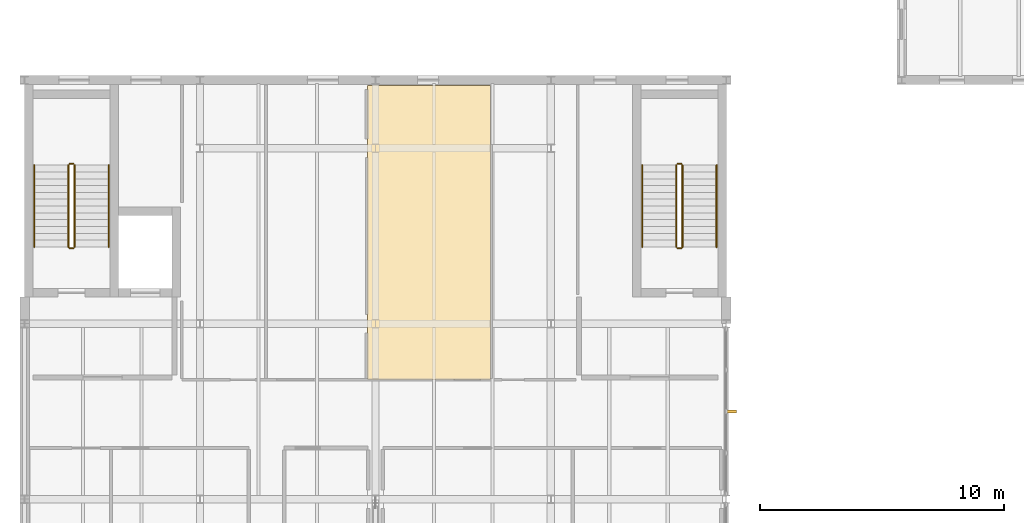
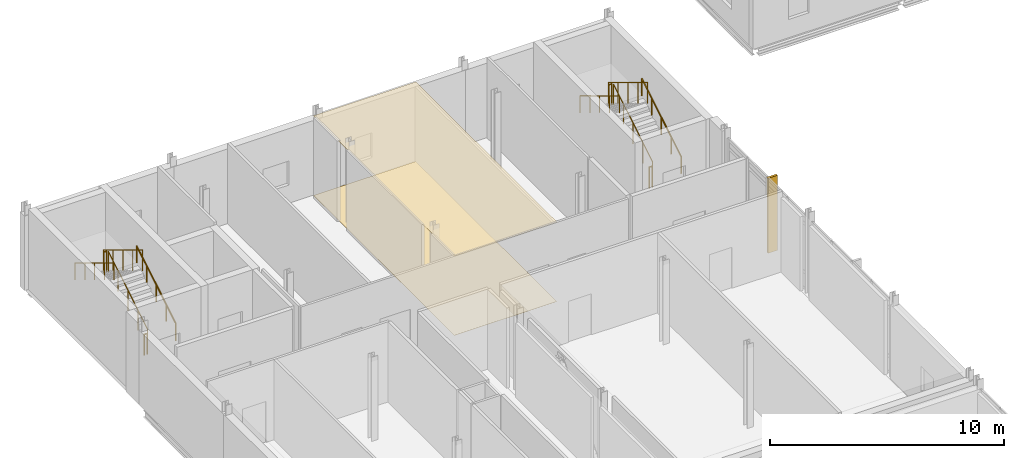
# One storey, part 70 of 72: 12 railings, 2 coverings, 1 shading device.
"""IFC4 building model written with IfcOpenShell, lengths in metres."""

from ifc_helpers import new_model, si_unit, direction, frame, origin, origin_2d, place, context, subcontext, project, spatial, polyline, rectangle, circle, outline, extrude, material, layer, layer_set, type_object, element, save


model = new_model("IFC4")

# Units and contexts
model_context = context("Model", 3, precision=1e-05, world=origin(), true_north=direction((0.0, 1.0)))
body_context = subcontext(model_context, "Body", "Model", "MODEL_VIEW")
ifc_project = project(units=[si_unit("LENGTHUNIT", "METRE"), si_unit("AREAUNIT", "SQUARE_METRE"), si_unit("VOLUMEUNIT", "CUBIC_METRE"), si_unit("PLANEANGLEUNIT", "RADIAN"), si_unit("MASSUNIT", "GRAM", prefix="KILO")], contexts=[model_context])

# Site, building, storey
site_placement = place(None, origin())
site = spatial("IfcSite", under=ifc_project, at=site_placement, CompositionType="ELEMENT")
building_placement = place(site_placement, origin())
building = spatial("IfcBuilding", under=site, at=building_placement, Name="Zarrinpeak Specialist Clinic", CompositionType="ELEMENT")
storey_placement = place(building_placement, frame((0.0, 0.0, 9.60009765625)))
storey = spatial("IfcBuildingStorey", under=building, at=storey_placement, Name="L02", CompositionType="ELEMENT", Elevation=9.60009765625)

# Coverings
ifc_material_1 = material(Name="Hygienic Acoustic Mineral Fibre Tile")
ifc_layer_1 = layer(ifc_material_1, 0.02490234375)
ifc_layer_set_1 = layer_set([ifc_layer_1], Name="Hygienic Acoustic Mineral Fibre Tile")
covering_type_1 = type_object("IfcCoveringType", Name="CV-CEIL-AC", PredefinedType="CEILING", material=ifc_layer_set_1)
covering_1_placement = place(storey_placement, frame((0.0, 0.0, 4.14501953125)))
element("IfcCovering", 1, at=covering_1_placement, inside=storey, type_object=covering_type_1, Name="L02 Specialist Consultation Room 1 Hygienic Acoustic Ceiling", PredefinedType="CEILING", context=body_context, shape_type="SweptSolid", body=[
    extrude(outline(polyline([(14.070068359375, 69.719970703125), (19.1298828125, 69.719970703125), (19.1298828125, 81.780029296875), (14.070068359375, 81.780029296875), (14.070068359375, 69.719970703125)])), origin(), (0.0, 0.0, 1.0), 0.02490234375),
])
ifc_material_2 = material(Name="Homogeneous Antimicrobial Clinical Vinyl")
ifc_layer_2 = layer(ifc_material_2, 0.008056640625)
ifc_layer_set_2 = layer_set([ifc_layer_2], Name="Homogeneous Antimicrobial Clinical Vinyl")
covering_type_2 = type_object("IfcCoveringType", Name="CV-FLR-VN", PredefinedType="FLOORING", material=ifc_layer_set_2)
covering_2_placement = place(storey_placement, frame((0.0, 0.0, 0.0009765625)))
element("IfcCovering", 2, at=covering_2_placement, inside=storey, type_object=covering_type_2, Name="L02 Specialist Consultation Room 1 Antimicrobial Vinyl Flooring", PredefinedType="FLOORING", context=body_context, shape_type="SweptSolid", body=[
    extrude(outline(polyline([(14.070068359375, 69.719970703125), (19.1298828125, 69.719970703125), (19.1298828125, 81.780029296875), (14.070068359375, 81.780029296875), (14.070068359375, 69.719970703125)])), origin(), (0.0, 0.0, 1.0), 0.0078125),
])

# Railings
ifc_material_3 = material(Name="Laminated Safety Glass and Stainless Steel 316", Category="steel")
ifc_layer_3 = layer(ifc_material_3, 0.06005859375)
ifc_layer_set_3 = layer_set([ifc_layer_3], Name="Laminated Safety Glass and Stainless Steel 316")
railing_type_1 = type_object("IfcRailingType", Name="RL-GRD115", PredefinedType="GUARDRAIL", material=ifc_layer_set_3)
railing_1_placement = place(storey_placement, frame((2.050048828125, 75.14990234375, 0.169189453125)))
element("IfcRailing", 3, at=railing_1_placement, inside=storey, type_object=railing_type_1, Name="L02 ST-09 stair guard 1", PredefinedType="GUARDRAIL", context=body_context, shape_type="SweptSolid", body=[
    extrude(circle(Radius=0.02392578125, at=origin_2d()), frame((0.0, 0.0, 1.076171875), z_axis=(0.0, 0.855836976705, 0.517245656632), x_axis=(-1.0, 0.0, 0.0)), (0.0, 0.0, 1.0), 3.926025390625),
    extrude(circle(Radius=0.02099609375, at=origin_2d()), origin(), (0.0, 0.0, 1.0), 1.052001953125),
    extrude(circle(Radius=0.02099609375, at=origin_2d()), frame((0.0, 0.840087890625, 0.5078125)), (0.0, 0.0, 1.0), 1.052001953125),
    extrude(circle(Radius=0.02099609375, at=origin_2d()), frame((0.0, 1.68017578125, 1.015380859375)), (0.0, 0.0, 1.0), 1.052001953125),
    extrude(circle(Radius=0.02099609375, at=origin_2d()), frame((0.0, 2.52001953125, 1.52294921875)), (0.0, 0.0, 1.0), 1.052001953125),
    extrude(circle(Radius=0.02099609375, at=origin_2d()), frame((0.0, 3.360107421875, 2.03076171875)), (0.0, 0.0, 1.0), 1.052001953125),
])
railing_2_placement = place(storey_placement, frame((2.0, 78.56005859375, 2.199951171875)))
element("IfcRailing", 4, at=railing_2_placement, inside=storey, type_object=railing_type_1, Name="L02 ST-09 stair guard 2", PredefinedType="GUARDRAIL", context=body_context, shape_type="SweptSolid", body=[
    extrude(circle(Radius=0.02392578125, at=origin_2d()), frame((0.0, 0.0, 1.076171875), z_axis=(-1.0, 0.0, 0.0), x_axis=(0.0, -1.0, 0.0)), (0.0, 0.0, 1.0), 0.14990234375),
    extrude(circle(Radius=0.02099609375, at=origin_2d()), origin(), (0.0, 0.0, 1.0), 1.052001953125),
    extrude(circle(Radius=0.02099609375, at=origin_2d()), frame((-0.14990234375, 0.0, 0.0)), (0.0, 0.0, 1.0), 1.052001953125),
])
railing_3_placement = place(storey_placement, frame((1.800048828125, 78.510009765625, 2.369140625)))
element("IfcRailing", 5, at=railing_3_placement, inside=storey, type_object=railing_type_1, Name="L02 ST-09 stair guard 3", PredefinedType="GUARDRAIL", context=body_context, shape_type="SweptSolid", body=[
    extrude(circle(Radius=0.02392578125, at=origin_2d()), frame((0.0, 0.0, 1.076171875), z_axis=(0.0, -0.855836976705, 0.517245656632), x_axis=(1.0, 0.0, 0.0)), (0.0, 0.0, 1.0), 3.926025390625),
    extrude(circle(Radius=0.02099609375, at=origin_2d()), origin(), (0.0, 0.0, 1.0), 1.052001953125),
    extrude(circle(Radius=0.02099609375, at=origin_2d()), frame((0.0, -0.840087890625, 0.5078125)), (0.0, 0.0, 1.0), 1.052001953125),
    extrude(circle(Radius=0.02099609375, at=origin_2d()), frame((0.0, -1.68017578125, 1.015380859375)), (0.0, 0.0, 1.0), 1.052001953125),
    extrude(circle(Radius=0.02099609375, at=origin_2d()), frame((0.0, -2.52001953125, 1.52294921875)), (0.0, 0.0, 1.0), 1.052001953125),
    extrude(circle(Radius=0.02099609375, at=origin_2d()), frame((0.0, -3.360107421875, 2.03076171875)), (0.0, 0.0, 1.0), 1.052001953125),
])
railing_4_placement = place(storey_placement, frame((2.0, 75.10009765625, 0.0)))
element("IfcRailing", 6, at=railing_4_placement, inside=storey, type_object=railing_type_1, Name="L02 ST-09 stair guard 4", PredefinedType="GUARDRAIL", context=body_context, shape_type="SweptSolid", body=[
    extrude(circle(Radius=0.02392578125, at=origin_2d()), frame((0.0, 0.0, 1.076171875), z_axis=(-1.0, 0.0, 0.0), x_axis=(0.0, -1.0, 0.0)), (0.0, 0.0, 1.0), 0.14990234375),
    extrude(circle(Radius=0.02099609375, at=origin_2d()), origin(), (0.0, 0.0, 1.0), 1.052001953125),
    extrude(circle(Radius=0.02099609375, at=origin_2d()), frame((-0.14990234375, 0.0, 0.0)), (0.0, 0.0, 1.0), 1.052001953125),
])
railing_5_placement = place(storey_placement, frame((27.0, 75.14990234375, 0.169189453125)))
element("IfcRailing", 7, at=railing_5_placement, inside=storey, type_object=railing_type_1, Name="L02 ST-10 stair guard 1", PredefinedType="GUARDRAIL", context=body_context, shape_type="SweptSolid", body=[
    extrude(circle(Radius=0.02392578125, at=origin_2d()), frame((0.0, 0.0, 1.076171875), z_axis=(0.0, 0.855836976705, 0.517245656632), x_axis=(-1.0, 0.0, 0.0)), (0.0, 0.0, 1.0), 3.926025390625),
    extrude(circle(Radius=0.02099609375, at=origin_2d()), origin(), (0.0, 0.0, 1.0), 1.052001953125),
    extrude(circle(Radius=0.02099609375, at=origin_2d()), frame((0.0, 0.840087890625, 0.5078125)), (0.0, 0.0, 1.0), 1.052001953125),
    extrude(circle(Radius=0.02099609375, at=origin_2d()), frame((0.0, 1.68017578125, 1.015380859375)), (0.0, 0.0, 1.0), 1.052001953125),
    extrude(circle(Radius=0.02099609375, at=origin_2d()), frame((0.0, 2.52001953125, 1.52294921875)), (0.0, 0.0, 1.0), 1.052001953125),
    extrude(circle(Radius=0.02099609375, at=origin_2d()), frame((0.0, 3.360107421875, 2.03076171875)), (0.0, 0.0, 1.0), 1.052001953125),
])
railing_6_placement = place(storey_placement, frame((26.949951171875, 78.56005859375, 2.199951171875)))
element("IfcRailing", 8, at=railing_6_placement, inside=storey, type_object=railing_type_1, Name="L02 ST-10 stair guard 2", PredefinedType="GUARDRAIL", context=body_context, shape_type="SweptSolid", body=[
    extrude(circle(Radius=0.02392578125, at=origin_2d()), frame((0.0, 0.0, 1.076171875), z_axis=(-1.0, 0.0, 0.0), x_axis=(0.0, -1.0, 0.0)), (0.0, 0.0, 1.0), 0.14990234375),
    extrude(circle(Radius=0.02099609375, at=origin_2d()), origin(), (0.0, 0.0, 1.0), 1.052001953125),
    extrude(circle(Radius=0.02099609375, at=origin_2d()), frame((-0.14990234375, 0.0, 0.0)), (0.0, 0.0, 1.0), 1.052001953125),
])
railing_7_placement = place(storey_placement, frame((26.75, 78.510009765625, 2.369140625)))
element("IfcRailing", 9, at=railing_7_placement, inside=storey, type_object=railing_type_1, Name="L02 ST-10 stair guard 3", PredefinedType="GUARDRAIL", context=body_context, shape_type="SweptSolid", body=[
    extrude(circle(Radius=0.02392578125, at=origin_2d()), frame((0.0, 0.0, 1.076171875), z_axis=(0.0, -0.855836976705, 0.517245656632), x_axis=(1.0, 0.0, 0.0)), (0.0, 0.0, 1.0), 3.926025390625),
    extrude(circle(Radius=0.02099609375, at=origin_2d()), origin(), (0.0, 0.0, 1.0), 1.052001953125),
    extrude(circle(Radius=0.02099609375, at=origin_2d()), frame((0.0, -0.840087890625, 0.5078125)), (0.0, 0.0, 1.0), 1.052001953125),
    extrude(circle(Radius=0.02099609375, at=origin_2d()), frame((0.0, -1.68017578125, 1.015380859375)), (0.0, 0.0, 1.0), 1.052001953125),
    extrude(circle(Radius=0.02099609375, at=origin_2d()), frame((0.0, -2.52001953125, 1.52294921875)), (0.0, 0.0, 1.0), 1.052001953125),
    extrude(circle(Radius=0.02099609375, at=origin_2d()), frame((0.0, -3.360107421875, 2.03076171875)), (0.0, 0.0, 1.0), 1.052001953125),
])
railing_8_placement = place(storey_placement, frame((26.949951171875, 75.10009765625, 0.0)))
element("IfcRailing", 10, at=railing_8_placement, inside=storey, type_object=railing_type_1, Name="L02 ST-10 stair guard 4", PredefinedType="GUARDRAIL", context=body_context, shape_type="SweptSolid", body=[
    extrude(circle(Radius=0.02392578125, at=origin_2d()), frame((0.0, 0.0, 1.076171875), z_axis=(-1.0, 0.0, 0.0), x_axis=(0.0, -1.0, 0.0)), (0.0, 0.0, 1.0), 0.14990234375),
    extrude(circle(Radius=0.02099609375, at=origin_2d()), origin(), (0.0, 0.0, 1.0), 1.052001953125),
    extrude(circle(Radius=0.02099609375, at=origin_2d()), frame((-0.14990234375, 0.0, 0.0)), (0.0, 0.0, 1.0), 1.052001953125),
])
ifc_material_4 = material(Name="Brushed Stainless Steel 316 Handrail", Category="steel")
ifc_layer_4 = layer(ifc_material_4, 0.050048828125)
ifc_layer_set_4 = layer_set([ifc_layer_4], Name="Brushed Stainless Steel 316 Handrail")
railing_type_2 = type_object("IfcRailingType", Name="RL-HND92", PredefinedType="HANDRAIL", material=ifc_layer_set_4)
railing_9_placement = place(storey_placement, frame((3.449951171875, 75.14990234375, 0.169189453125)))
element("IfcRailing", 11, at=railing_9_placement, inside=storey, type_object=railing_type_2, Name="L02 ST-09 stair handrail 1", PredefinedType="HANDRAIL", context=body_context, shape_type="SweptSolid", body=[
    extrude(circle(Radius=0.02392578125, at=origin_2d()), frame((0.0, 0.0, 0.8759765625), z_axis=(0.0, 0.855836976705, 0.517245656632), x_axis=(-1.0, 0.0, 0.0)), (0.0, 0.0, 1.0), 3.926025390625),
    extrude(circle(Radius=0.02099609375, at=origin_2d()), origin(), (0.0, 0.0, 1.0), 0.851806640625),
    extrude(circle(Radius=0.02099609375, at=origin_2d()), frame((0.0, 0.840087890625, 0.5078125)), (0.0, 0.0, 1.0), 0.851806640625),
    extrude(circle(Radius=0.02099609375, at=origin_2d()), frame((0.0, 1.68017578125, 1.015380859375)), (0.0, 0.0, 1.0), 0.851806640625),
    extrude(circle(Radius=0.02099609375, at=origin_2d()), frame((0.0, 2.52001953125, 1.52294921875)), (0.0, 0.0, 1.0), 0.851806640625),
    extrude(circle(Radius=0.02099609375, at=origin_2d()), frame((0.0, 3.360107421875, 2.03076171875)), (0.0, 0.0, 1.0), 0.851806640625),
])
railing_10_placement = place(storey_placement, frame((0.39990234375, 78.510009765625, 2.369140625)))
element("IfcRailing", 12, at=railing_10_placement, inside=storey, type_object=railing_type_2, Name="L02 ST-09 stair handrail 2", PredefinedType="HANDRAIL", context=body_context, shape_type="SweptSolid", body=[
    extrude(circle(Radius=0.02392578125, at=origin_2d()), frame((0.0, 0.0, 0.8759765625), z_axis=(0.0, -0.855836976705, 0.517245656632), x_axis=(1.0, 0.0, 0.0)), (0.0, 0.0, 1.0), 3.926025390625),
    extrude(circle(Radius=0.02099609375, at=origin_2d()), origin(), (0.0, 0.0, 1.0), 0.851806640625),
    extrude(circle(Radius=0.02099609375, at=origin_2d()), frame((0.0, -0.840087890625, 0.5078125)), (0.0, 0.0, 1.0), 0.851806640625),
    extrude(circle(Radius=0.02099609375, at=origin_2d()), frame((0.0, -1.68017578125, 1.015380859375)), (0.0, 0.0, 1.0), 0.851806640625),
    extrude(circle(Radius=0.02099609375, at=origin_2d()), frame((0.0, -2.52001953125, 1.52294921875)), (0.0, 0.0, 1.0), 0.851806640625),
    extrude(circle(Radius=0.02099609375, at=origin_2d()), frame((0.0, -3.360107421875, 2.03076171875)), (0.0, 0.0, 1.0), 0.851806640625),
])
railing_11_placement = place(storey_placement, frame((28.39990234375, 75.14990234375, 0.169189453125)))
element("IfcRailing", 13, at=railing_11_placement, inside=storey, type_object=railing_type_2, Name="L02 ST-10 stair handrail 1", PredefinedType="HANDRAIL", context=body_context, shape_type="SweptSolid", body=[
    extrude(circle(Radius=0.02392578125, at=origin_2d()), frame((0.0, 0.0, 0.8759765625), z_axis=(0.0, 0.855836976705, 0.517245656632), x_axis=(-1.0, 0.0, 0.0)), (0.0, 0.0, 1.0), 3.926025390625),
    extrude(circle(Radius=0.02099609375, at=origin_2d()), origin(), (0.0, 0.0, 1.0), 0.851806640625),
    extrude(circle(Radius=0.02099609375, at=origin_2d()), frame((0.0, 0.840087890625, 0.5078125)), (0.0, 0.0, 1.0), 0.851806640625),
    extrude(circle(Radius=0.02099609375, at=origin_2d()), frame((0.0, 1.68017578125, 1.015380859375)), (0.0, 0.0, 1.0), 0.851806640625),
    extrude(circle(Radius=0.02099609375, at=origin_2d()), frame((0.0, 2.52001953125, 1.52294921875)), (0.0, 0.0, 1.0), 0.851806640625),
    extrude(circle(Radius=0.02099609375, at=origin_2d()), frame((0.0, 3.360107421875, 2.03076171875)), (0.0, 0.0, 1.0), 0.851806640625),
])
railing_12_placement = place(storey_placement, frame((25.35009765625, 78.510009765625, 2.369140625)))
element("IfcRailing", 14, at=railing_12_placement, inside=storey, type_object=railing_type_2, Name="L02 ST-10 stair handrail 2", PredefinedType="HANDRAIL", context=body_context, shape_type="SweptSolid", body=[
    extrude(circle(Radius=0.02392578125, at=origin_2d()), frame((0.0, 0.0, 0.8759765625), z_axis=(0.0, -0.855836976705, 0.517245656632), x_axis=(1.0, 0.0, 0.0)), (0.0, 0.0, 1.0), 3.926025390625),
    extrude(circle(Radius=0.02099609375, at=origin_2d()), origin(), (0.0, 0.0, 1.0), 0.851806640625),
    extrude(circle(Radius=0.02099609375, at=origin_2d()), frame((0.0, -0.840087890625, 0.5078125)), (0.0, 0.0, 1.0), 0.851806640625),
    extrude(circle(Radius=0.02099609375, at=origin_2d()), frame((0.0, -1.68017578125, 1.015380859375)), (0.0, 0.0, 1.0), 0.851806640625),
    extrude(circle(Radius=0.02099609375, at=origin_2d()), frame((0.0, -2.52001953125, 1.52294921875)), (0.0, 0.0, 1.0), 0.851806640625),
    extrude(circle(Radius=0.02099609375, at=origin_2d()), frame((0.0, -3.360107421875, 2.03076171875)), (0.0, 0.0, 1.0), 0.851806640625),
])

# Shading device
ifc_material_5 = material(Name="Glulam GL28h", Category="wood")
shading_device_type = type_object("IfcShadingDeviceType", Name="SHD-FIN-GL", PredefinedType="USERDEFINED", material=ifc_material_5)
shading_device_placement = place(storey_placement, frame((29.0, 68.39990234375, -0.01513671875), z_axis=(0.0, 0.0, 1.0), x_axis=(1.0, 0.0, 0.0)))
element("IfcShadingDevice", 15, at=shading_device_placement, inside=storey, type_object=shading_device_type, Name="L02 V5 Cedar-Glulam Courtyard Fin FIN-078", ObjectType="SUNSHADE", PredefinedType="USERDEFINED", context=body_context, shape_type="SweptSolid", body=[
    extrude(rectangle(XDim=0.449951171875, YDim=0.110107421875, at=origin_2d()), origin(), (0.0, 0.0, 1.0), 3.9150390625),
])

save(model, "model.ifc")
